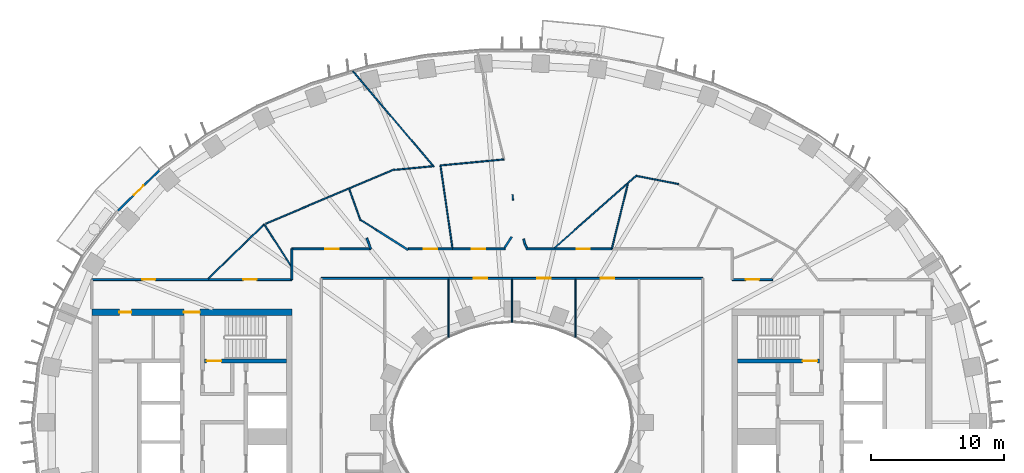
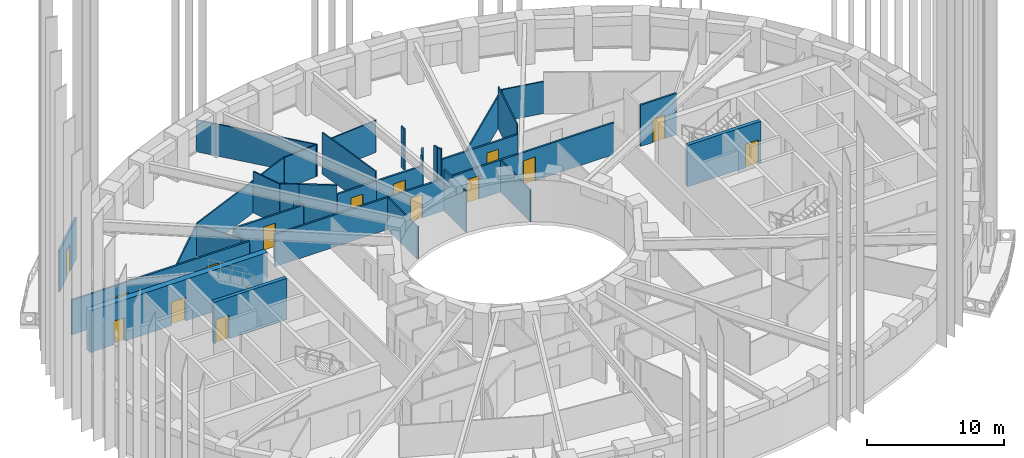
# One storey, part 6 of 20: 33 walls, 15 doors, 15 openings.
"""IFC4 building model written with IfcOpenShell, lengths in metres."""

from ifc_helpers import new_model, si_unit, direction, frame, frame_2d, origin, place, context, subcontext, project, spatial, rectangle, extrude, material, layer, layer_set, type_object, element, fill, save


model = new_model("IFC4")

# Units and contexts
model_context = context("Model", 3, precision=1e-05, world=origin(), true_north=direction((0.0, 1.0)))
body_context = subcontext(model_context, "Body", "Model", "MODEL_VIEW")
ifc_project = project(units=[si_unit("LENGTHUNIT", "METRE"), si_unit("AREAUNIT", "SQUARE_METRE"), si_unit("VOLUMEUNIT", "CUBIC_METRE"), si_unit("PLANEANGLEUNIT", "RADIAN"), si_unit("MASSUNIT", "GRAM", prefix="KILO")], contexts=[model_context])

# Site, building, storey
site_placement = place(None, origin())
site = spatial("IfcSite", under=ifc_project, at=site_placement, CompositionType="ELEMENT")
building_placement = place(site_placement, origin())
building = spatial("IfcBuilding", under=site, at=building_placement, Name="Noorbagh Ring Tower", CompositionType="ELEMENT")
storey_placement = place(building_placement, frame((0.0, 0.0, 88.0)))
storey = spatial("IfcBuildingStorey", under=building, at=storey_placement, Name="L19", CompositionType="ELEMENT", Elevation=88.0)

# Wall, opening, door
ifc_material_1 = material(Name="Concrete C70/85", Category="concrete")
ifc_layer_1 = layer(ifc_material_1, 0.300048828125)
ifc_layer_set_1 = layer_set([ifc_layer_1], Name="Concrete C70/85")
wall_type_1 = type_object("IfcWallType", Name="CORE-WALL-300-C70-85-EI240", PredefinedType="SHEAR", material=ifc_layer_set_1)
wall_1_placement = place(storey_placement, frame((-16.89990234375, 4.60009765625, 0.0), z_axis=(0.0, 0.0, 1.0), x_axis=(-1.0, 0.0, 0.0)))
wall_1 = element("IfcWall", 1, at=wall_1_placement, inside=storey, type_object=wall_type_1, Name="Core wall W", PredefinedType="SHEAR", context=body_context, shape_type="SweptSolid", body=[
    extrude(rectangle(XDim=6.18017578125, YDim=0.300048828125, at=frame_2d((3.090087890625, 0.0))), origin(), (0.0, 0.0, 1.0), 3.699951171875),
])
opening_1_placement = place(wall_1_placement, frame((4.89990234375, 0.0, 0.0)))
opening_1 = element("IfcOpeningElement", 2, at=opening_1_placement, cuts=wall_1, Name="Opening L19-CW05", PredefinedType="OPENING", context=body_context, shape_type="SweptSolid", body=[
    extrude(rectangle(XDim=1.10009765625, YDim=2.10009765625, at=frame_2d((0.550048828125, 1.050048828125))), frame((0.0, 0.16015625, 0.0), z_axis=(0.0, -1.0, 0.0), x_axis=(1.0, 0.0, 0.0)), (0.0, 0.0, 1.0), 0.320068359375),
])
ifc_material_2 = material(Name="Steel door leaf", Category="steel")
door_type_1 = type_object("IfcDoorType", Name="CORE-DOOR-DSTAIR", OperationType="SINGLE_SWING_LEFT", PredefinedType="DOOR", material=ifc_material_2)
door_1_placement = place(opening_1_placement, origin())
door_1 = element("IfcDoor", 3, at=door_1_placement, inside=storey, type_object=door_type_1, Name="Stair door ST1 L19-CW05", OperationType="SINGLE_SWING_RIGHT", OverallHeight=2.10009765625, OverallWidth=1.10009765625, PredefinedType="DOOR", context=body_context, shape_type="SweptSolid", body=[
    extrude(rectangle(XDim=1.10009765625, YDim=2.10009765625, at=frame_2d((0.550048828125, 1.050048828125))), frame((0.0, 0.02490234375, 0.0), z_axis=(0.0, -1.0, 0.0), x_axis=(1.0, 0.0, 0.0)), (0.0, 0.0, 1.0), 0.050048828125),
])
fill(opening_1, door_1)

wall_2_placement = place(storey_placement, frame((16.89990234375, 4.60009765625, 0.0), z_axis=(0.0, 0.0, 1.0), x_axis=(1.0, 0.0, 0.0)))
wall_2 = element("IfcWall", 4, at=wall_2_placement, inside=storey, type_object=wall_type_1, Name="Core wall E", PredefinedType="SHEAR", context=body_context, shape_type="SweptSolid", body=[
    extrude(rectangle(XDim=6.18017578125, YDim=0.300048828125, at=frame_2d((3.090087890625, 0.0))), origin(), (0.0, 0.0, 1.0), 3.699951171875),
])
opening_2_placement = place(wall_2_placement, frame((4.89990234375, 0.0, 0.0)))
opening_2 = element("IfcOpeningElement", 5, at=opening_2_placement, cuts=wall_2, Name="Opening L19-CE05", PredefinedType="OPENING", context=body_context, shape_type="SweptSolid", body=[
    extrude(rectangle(XDim=1.10009765625, YDim=2.10009765625, at=frame_2d((0.550048828125, 1.050048828125))), frame((0.0, 0.16015625, 0.0), z_axis=(0.0, -1.0, 0.0), x_axis=(1.0, 0.0, 0.0)), (0.0, 0.0, 1.0), 0.320068359375),
])
door_2_placement = place(opening_2_placement, origin())
door_2 = element("IfcDoor", 6, at=door_2_placement, inside=storey, type_object=door_type_1, Name="Stair door ST3 L19-CE05", OperationType="SINGLE_SWING_LEFT", OverallHeight=2.10009765625, OverallWidth=1.10009765625, PredefinedType="DOOR", context=body_context, shape_type="SweptSolid", body=[
    extrude(rectangle(XDim=1.10009765625, YDim=2.10009765625, at=frame_2d((0.550048828125, 1.050048828125))), frame((0.0, 0.02490234375, 0.0), z_axis=(0.0, -1.0, 0.0), x_axis=(1.0, 0.0, 0.0)), (0.0, 0.0, 1.0), 0.050048828125),
])
fill(opening_2, door_2)

# Wall, openings, doors
ifc_material_3 = material(Name="Concrete C70/85", Category="concrete")
ifc_layer_2 = layer(ifc_material_3, 0.5)
ifc_layer_set_2 = layer_set([ifc_layer_2], Name="Concrete C70/85")
wall_type_2 = type_object("IfcWallType", Name="CORE-WALL-500-C70-85-EI240", PredefinedType="SHEAR", material=ifc_layer_set_2)
wall_3_placement = place(storey_placement, frame((-16.5, 8.25, 0.0), z_axis=(0.0, 0.0, 1.0), x_axis=(-1.0, 0.0, 0.0)))
wall_3 = element("IfcWall", 7, at=wall_3_placement, inside=storey, type_object=wall_type_2, Name="Core wall W", PredefinedType="SHEAR", context=body_context, shape_type="SweptSolid", body=[
    extrude(rectangle(XDim=15.0, YDim=0.5, at=frame_2d((7.5, 0.0))), origin(), (0.0, 0.0, 1.0), 3.699951171875),
])
opening_3_placement = place(wall_3_placement, frame((6.89990234375, 0.0, 0.0)))
opening_3 = element("IfcOpeningElement", 8, at=opening_3_placement, cuts=wall_3, Name="Opening L19-CW09", PredefinedType="OPENING", context=body_context, shape_type="SweptSolid", body=[
    extrude(rectangle(XDim=1.199951171875, YDim=2.10009765625, at=frame_2d((0.60009765625, 1.050048828125))), frame((0.0, 0.260009765625, 0.0), z_axis=(0.0, -1.0, 0.0), x_axis=(1.0, 0.0, 0.0)), (0.0, 0.0, 1.0), 0.52001953125),
])
opening_4_placement = place(wall_3_placement, frame((12.050048828125, 0.0, 0.0)))
opening_4 = element("IfcOpeningElement", 9, at=opening_4_placement, cuts=wall_3, Name="Opening L19-CW13", PredefinedType="OPENING", context=body_context, shape_type="SweptSolid", body=[
    extrude(rectangle(XDim=0.89990234375, YDim=2.10009765625, at=frame_2d((0.449951171875, 1.050048828125))), frame((0.0, 0.260009765625, 0.0), z_axis=(0.0, -1.0, 0.0), x_axis=(1.0, 0.0, 0.0)), (0.0, 0.0, 1.0), 0.52001953125),
])
ifc_material_4 = material(Name="Steel door leaf", Category="steel")
door_type_2 = type_object("IfcDoorType", Name="CORE-DOOR-DROOM", OperationType="SINGLE_SWING_LEFT", PredefinedType="DOOR", material=ifc_material_4)
door_3_placement = place(opening_4_placement, origin())
door_3 = element("IfcDoor", 10, at=door_3_placement, inside=storey, type_object=door_type_2, Name="Core room door L19-CW13", OperationType="SINGLE_SWING_RIGHT", OverallHeight=2.10009765625, OverallWidth=0.89990234375, PredefinedType="DOOR", context=body_context, shape_type="SweptSolid", body=[
    extrude(rectangle(XDim=0.89990234375, YDim=2.10009765625, at=frame_2d((0.449951171875, 1.050048828125))), frame((0.0, 0.02490234375, 0.0), z_axis=(0.0, -1.0, 0.0), x_axis=(1.0, 0.0, 0.0)), (0.0, 0.0, 1.0), 0.050048828125),
])
fill(opening_4, door_3)
ifc_material_5 = material(Name="Steel door leaf", Category="steel")
door_type_3 = type_object("IfcDoorType", Name="CORE-DOOR-PORT", OperationType="DOUBLE_DOOR_DOUBLE_SWING", PredefinedType="DOOR", material=ifc_material_5)
door_4_placement = place(opening_3_placement, origin())
door_4 = element("IfcDoor", 11, at=door_4_placement, inside=storey, type_object=door_type_3, Name="Core entrance door L19-CW09", OperationType="DOUBLE_DOOR_DOUBLE_SWING", OverallHeight=2.10009765625, OverallWidth=1.199951171875, PredefinedType="DOOR", context=body_context, shape_type="SweptSolid", body=[
    extrude(rectangle(XDim=1.199951171875, YDim=2.10009765625, at=frame_2d((0.60009765625, 1.050048828125))), frame((0.0, 0.02490234375, 0.0), z_axis=(0.0, -1.0, 0.0), x_axis=(1.0, 0.0, 0.0)), (0.0, 0.0, 1.0), 0.050048828125),
])
fill(opening_3, door_4)

ifc_material_6 = material(Name="Gypsum board on steel studs", Category="steel")
ifc_layer_3 = layer(ifc_material_6, 0.14990234375)
ifc_layer_set_3 = layer_set([ifc_layer_3], Name="Gypsum board on steel studs")
wall_type_3 = type_object("IfcWallType", Name="CORRIDOR PARTITION 150 EI 30", PredefinedType="PARTITIONING", material=ifc_layer_set_3)
wall_4_placement = place(storey_placement, frame((-31.5, 10.699951171875, 0.0), z_axis=(0.0, 0.0, 1.0), x_axis=(1.0, 0.0, 0.0)))
wall_4 = element("IfcWall", 12, at=wall_4_placement, inside=storey, type_object=wall_type_3, Name="L19/wall/P05", PredefinedType="PARTITIONING", context=body_context, shape_type="SweptSolid", body=[
    extrude(rectangle(XDim=15.0, YDim=0.14990234375, at=frame_2d((7.5, 0.0))), origin(), (0.0, 0.0, 1.0), 3.10009765625),
])
opening_5_placement = place(wall_4_placement, frame((3.760986328125, 0.0, 0.0)))
opening_5 = element("IfcOpeningElement", 13, at=opening_5_placement, cuts=wall_4, Name="Opening D1", PredefinedType="OPENING", context=body_context, shape_type="SweptSolid", body=[
    extrude(rectangle(XDim=1.0, YDim=2.10009765625, at=frame_2d((0.5, 1.050048828125))), frame((0.0, 0.0849609375, 0.0), z_axis=(0.0, -1.0, 0.0), x_axis=(1.0, 0.0, 0.0)), (0.0, 0.0, 1.0), 0.169921875),
])
opening_6_placement = place(wall_4_placement, frame((11.35009765625, 0.0, 0.0)))
opening_6 = element("IfcOpeningElement", 14, at=opening_6_placement, cuts=wall_4, Name="Opening D1", PredefinedType="OPENING", context=body_context, shape_type="SweptSolid", body=[
    extrude(rectangle(XDim=1.0, YDim=2.10009765625, at=frame_2d((0.5, 1.050048828125))), frame((0.0, 0.0849609375, 0.0), z_axis=(0.0, -1.0, 0.0), x_axis=(1.0, 0.0, 0.0)), (0.0, 0.0, 1.0), 0.169921875),
])
ifc_material_7 = material(Name="Timber, painted", Category="wood")
door_type_4 = type_object("IfcDoorType", Name="DOOR 1000 X 2100 FD30", OperationType="SINGLE_SWING_LEFT", PredefinedType="DOOR", material=ifc_material_7)
door_5_placement = place(opening_5_placement, origin())
door_5 = element("IfcDoor", 15, at=door_5_placement, inside=storey, type_object=door_type_4, Name="L19-D07", OperationType="SINGLE_SWING_LEFT", OverallHeight=2.10009765625, OverallWidth=1.0, PredefinedType="DOOR", context=body_context, shape_type="SweptSolid", body=[
    extrude(rectangle(XDim=1.0, YDim=2.10009765625, at=frame_2d((0.5, 1.050048828125))), frame((0.0, 0.02490234375, 0.0), z_axis=(0.0, -1.0, 0.0), x_axis=(1.0, 0.0, 0.0)), (0.0, 0.0, 1.0), 0.050048828125),
])
fill(opening_5, door_5)
door_6_placement = place(opening_6_placement, origin())
door_6 = element("IfcDoor", 16, at=door_6_placement, inside=storey, type_object=door_type_4, Name="L19-D09", OperationType="SINGLE_SWING_LEFT", OverallHeight=2.10009765625, OverallWidth=1.0, PredefinedType="DOOR", context=body_context, shape_type="SweptSolid", body=[
    extrude(rectangle(XDim=1.0, YDim=2.10009765625, at=frame_2d((0.5, 1.050048828125))), frame((0.0, 0.02490234375, 0.0), z_axis=(0.0, -1.0, 0.0), x_axis=(1.0, 0.0, 0.0)), (0.0, 0.0, 1.0), 0.050048828125),
])
fill(opening_6, door_6)

# Wall
wall_5_placement = place(storey_placement, frame((-16.5, 10.699951171875, 0.0), z_axis=(0.0, 0.0, 1.0), x_axis=(0.0, 1.0, 0.0)))
element("IfcWall", 17, at=wall_5_placement, inside=storey, type_object=wall_type_3, Name="L19/wall/P14", PredefinedType="PARTITIONING", context=body_context, shape_type="SweptSolid", body=[
    extrude(rectangle(XDim=2.300048828125, YDim=0.14990234375, at=frame_2d((1.14990234375, 0.0))), origin(), (0.0, 0.0, 1.0), 2.75),
])

# Wall, opening, door
wall_6_placement = place(storey_placement, frame((-16.5, 13.0, 0.0), z_axis=(0.0, 0.0, 1.0), x_axis=(1.0, 0.0, 0.0)))
wall_6 = element("IfcWall", 18, at=wall_6_placement, inside=storey, type_object=wall_type_3, Name="L19/wall/P15", PredefinedType="PARTITIONING", context=body_context, shape_type="SweptSolid", body=[
    extrude(rectangle(XDim=5.89306640625, YDim=0.14990234375, at=frame_2d((2.946533203125, 0.0))), origin(), (0.0, 0.0, 1.0), 2.85009765625),
])
opening_7_placement = place(wall_6_placement, frame((2.492919921875, 0.0, 0.0)))
opening_7 = element("IfcOpeningElement", 19, at=opening_7_placement, cuts=wall_6, Name="Opening D1", PredefinedType="OPENING", context=body_context, shape_type="SweptSolid", body=[
    extrude(rectangle(XDim=1.0, YDim=2.10009765625, at=frame_2d((0.5, 1.050048828125))), frame((0.0, 0.0849609375, 0.0), z_axis=(0.0, -1.0, 0.0), x_axis=(1.0, 0.0, 0.0)), (0.0, 0.0, 1.0), 0.169921875),
])
door_7_placement = place(opening_7_placement, origin())
door_7 = element("IfcDoor", 20, at=door_7_placement, inside=storey, type_object=door_type_4, Name="L19-D11", OperationType="SINGLE_SWING_LEFT", OverallHeight=2.10009765625, OverallWidth=1.0, PredefinedType="DOOR", context=body_context, shape_type="SweptSolid", body=[
    extrude(rectangle(XDim=1.0, YDim=2.10009765625, at=frame_2d((0.5, 1.050048828125))), frame((0.0, 0.02490234375, 0.0), z_axis=(0.0, -1.0, 0.0), x_axis=(1.0, 0.0, 0.0)), (0.0, 0.0, 1.0), 0.050048828125),
])
fill(opening_7, door_7)

# Wall, openings, doors
wall_7_placement = place(storey_placement, frame((-14.300048828125, 10.800048828125, 0.0), z_axis=(0.0, 0.0, 1.0), x_axis=(1.0, 0.0, 0.0)))
wall_7 = element("IfcWall", 21, at=wall_7_placement, inside=storey, type_object=wall_type_3, Name="L19/wall/P18", PredefinedType="PARTITIONING", context=body_context, shape_type="SweptSolid", body=[
    extrude(rectangle(XDim=28.60009765625, YDim=0.14990234375, at=frame_2d((14.300048828125, 0.0))), origin(), (0.0, 0.0, 1.0), 2.85009765625),
])
opening_8_placement = place(wall_7_placement, frame((11.43310546875, 0.0, 0.0)))
opening_8 = element("IfcOpeningElement", 22, at=opening_8_placement, cuts=wall_7, Name="Opening D1", PredefinedType="OPENING", context=body_context, shape_type="SweptSolid", body=[
    extrude(rectangle(XDim=1.0, YDim=2.10009765625, at=frame_2d((0.5, 1.050048828125))), frame((0.0, 0.0849609375, 0.0), z_axis=(0.0, -1.0, 0.0), x_axis=(1.0, 0.0, 0.0)), (0.0, 0.0, 1.0), 0.169921875),
])
opening_9_placement = place(wall_7_placement, frame((16.199951171875, 0.0, 0.0)))
opening_9 = element("IfcOpeningElement", 23, at=opening_9_placement, cuts=wall_7, Name="Opening D1", PredefinedType="OPENING", context=body_context, shape_type="SweptSolid", body=[
    extrude(rectangle(XDim=1.0, YDim=2.10009765625, at=frame_2d((0.5, 1.050048828125))), frame((0.0, 0.0849609375, 0.0), z_axis=(0.0, -1.0, 0.0), x_axis=(1.0, 0.0, 0.0)), (0.0, 0.0, 1.0), 0.169921875),
])
opening_10_placement = place(wall_7_placement, frame((20.967041015625, 0.0, 0.0)))
opening_10 = element("IfcOpeningElement", 24, at=opening_10_placement, cuts=wall_7, Name="Opening D1", PredefinedType="OPENING", context=body_context, shape_type="SweptSolid", body=[
    extrude(rectangle(XDim=1.0, YDim=2.10009765625, at=frame_2d((0.5, 1.050048828125))), frame((0.0, 0.0849609375, 0.0), z_axis=(0.0, -1.0, 0.0), x_axis=(1.0, 0.0, 0.0)), (0.0, 0.0, 1.0), 0.169921875),
])
door_8_placement = place(opening_8_placement, origin())
door_8 = element("IfcDoor", 25, at=door_8_placement, inside=storey, type_object=door_type_4, Name="L19-D29", OperationType="SINGLE_SWING_LEFT", OverallHeight=2.10009765625, OverallWidth=1.0, PredefinedType="DOOR", context=body_context, shape_type="SweptSolid", body=[
    extrude(rectangle(XDim=1.0, YDim=2.10009765625, at=frame_2d((0.5, 1.050048828125))), frame((0.0, 0.02490234375, 0.0), z_axis=(0.0, -1.0, 0.0), x_axis=(1.0, 0.0, 0.0)), (0.0, 0.0, 1.0), 0.050048828125),
])
fill(opening_8, door_8)
door_9_placement = place(opening_9_placement, origin())
door_9 = element("IfcDoor", 26, at=door_9_placement, inside=storey, type_object=door_type_4, Name="L19-D31", OperationType="SINGLE_SWING_LEFT", OverallHeight=2.10009765625, OverallWidth=1.0, PredefinedType="DOOR", context=body_context, shape_type="SweptSolid", body=[
    extrude(rectangle(XDim=1.0, YDim=2.10009765625, at=frame_2d((0.5, 1.050048828125))), frame((0.0, 0.02490234375, 0.0), z_axis=(0.0, -1.0, 0.0), x_axis=(1.0, 0.0, 0.0)), (0.0, 0.0, 1.0), 0.050048828125),
])
fill(opening_9, door_9)
door_10_placement = place(opening_10_placement, origin())
door_10 = element("IfcDoor", 27, at=door_10_placement, inside=storey, type_object=door_type_4, Name="L19-D32", OperationType="SINGLE_SWING_RIGHT", OverallHeight=2.10009765625, OverallWidth=1.0, PredefinedType="DOOR", context=body_context, shape_type="SweptSolid", body=[
    extrude(rectangle(XDim=1.0, YDim=2.10009765625, at=frame_2d((0.5, 1.050048828125))), frame((0.0, 0.02490234375, 0.0), z_axis=(0.0, -1.0, 0.0), x_axis=(1.0, 0.0, 0.0)), (0.0, 0.0, 1.0), 0.050048828125),
])
fill(opening_10, door_10)

# Walls
wall_8_placement = place(storey_placement, frame((-10.886962890625, 13.81201171875, 0.0), z_axis=(0.0, 0.0, 1.0), x_axis=(0.338378813476, -0.941009977944, 0.0)))
element("IfcWall", 28, at=wall_8_placement, inside=storey, type_object=wall_type_3, Name="L19/wall/P31", PredefinedType="PARTITIONING", context=body_context, shape_type="SweptSolid", body=[
    extrude(rectangle(XDim=0.863037109375, YDim=0.14990234375, at=frame_2d((0.431640625, 0.0))), origin(), (0.0, 0.0, 1.0), 2.85009765625),
])
wall_9_placement = place(storey_placement, frame((-10.136962890625, 14.4130859375, 0.0), z_axis=(0.0, 0.0, 1.0), x_axis=(0.844666662568, -0.535292657475, 0.0)))
element("IfcWall", 29, at=wall_9_placement, inside=storey, type_object=wall_type_3, Name="L19/wall/P33", PredefinedType="PARTITIONING", context=body_context, shape_type="SweptSolid", body=[
    extrude(rectangle(XDim=2.776123046875, YDim=0.14990234375, at=frame_2d((1.38818359375, 0.0))), origin(), (0.0, 0.0, 1.0), 3.699951171875),
])

# Wall, opening, door
wall_10_placement = place(storey_placement, frame((-7.76708984375, 13.0, 0.0), z_axis=(0.0, 0.0, 1.0), x_axis=(1.0, 0.0, 0.0)))
wall_10 = element("IfcWall", 30, at=wall_10_placement, inside=storey, type_object=wall_type_3, Name="L19/wall/P40", PredefinedType="PARTITIONING", context=body_context, shape_type="SweptSolid", body=[
    extrude(rectangle(XDim=3.2880859375, YDim=0.14990234375, at=frame_2d((1.64404296875, 0.0))), origin(), (0.0, 0.0, 1.0), 2.85009765625),
])
opening_11_placement = place(wall_10_placement, frame((1.157958984375, 0.0, 0.0)))
opening_11 = element("IfcOpeningElement", 31, at=opening_11_placement, cuts=wall_10, Name="Opening D1", PredefinedType="OPENING", context=body_context, shape_type="SweptSolid", body=[
    extrude(rectangle(XDim=1.0, YDim=2.10009765625, at=frame_2d((0.5, 1.050048828125))), frame((0.0, 0.0849609375, 0.0), z_axis=(0.0, -1.0, 0.0), x_axis=(1.0, 0.0, 0.0)), (0.0, 0.0, 1.0), 0.169921875),
])
door_11_placement = place(opening_11_placement, origin())
door_11 = element("IfcDoor", 32, at=door_11_placement, inside=storey, type_object=door_type_4, Name="L19-D13", OperationType="SINGLE_SWING_LEFT", OverallHeight=2.10009765625, OverallWidth=1.0, PredefinedType="DOOR", context=body_context, shape_type="SweptSolid", body=[
    extrude(rectangle(XDim=1.0, YDim=2.10009765625, at=frame_2d((0.5, 1.050048828125))), frame((0.0, 0.02490234375, 0.0), z_axis=(0.0, -1.0, 0.0), x_axis=(1.0, 0.0, 0.0)), (0.0, 0.0, 1.0), 0.050048828125),
])
fill(opening_11, door_11)

wall_11_placement = place(storey_placement, frame((-4.458984375, 13.0, 0.0), z_axis=(0.0, 0.0, 1.0), x_axis=(1.0, 0.0, 0.0)))
wall_11 = element("IfcWall", 33, at=wall_11_placement, inside=storey, type_object=wall_type_3, Name="L19/wall/P45", PredefinedType="PARTITIONING", context=body_context, shape_type="SweptSolid", body=[
    extrude(rectangle(XDim=3.93603515625, YDim=0.14990234375, at=frame_2d((1.968017578125, 0.0))), origin(), (0.0, 0.0, 1.0), 2.85009765625),
])
opening_12_placement = place(wall_11_placement, frame((1.447021484375, 0.0, 0.0)))
opening_12 = element("IfcOpeningElement", 34, at=opening_12_placement, cuts=wall_11, Name="Opening D1", PredefinedType="OPENING", context=body_context, shape_type="SweptSolid", body=[
    extrude(rectangle(XDim=1.0, YDim=2.10009765625, at=frame_2d((0.5, 1.050048828125))), frame((0.0, 0.0849609375, 0.0), z_axis=(0.0, -1.0, 0.0), x_axis=(1.0, 0.0, 0.0)), (0.0, 0.0, 1.0), 0.169921875),
])
door_12_placement = place(opening_12_placement, origin())
door_12 = element("IfcDoor", 35, at=door_12_placement, inside=storey, type_object=door_type_4, Name="L19-D14", OperationType="SINGLE_SWING_RIGHT", OverallHeight=2.10009765625, OverallWidth=1.0, PredefinedType="DOOR", context=body_context, shape_type="SweptSolid", body=[
    extrude(rectangle(XDim=1.0, YDim=2.10009765625, at=frame_2d((0.5, 1.050048828125))), frame((0.0, 0.02490234375, 0.0), z_axis=(0.0, -1.0, 0.0), x_axis=(1.0, 0.0, 0.0)), (0.0, 0.0, 1.0), 0.050048828125),
])
fill(opening_12, door_12)

# Walls
wall_12_placement = place(storey_placement, frame((-0.56396484375, 13.074951171875, 0.0), z_axis=(0.0, 0.0, 1.0), x_axis=(0.542773867651, 0.839878877336, 0.0)))
element("IfcWall", 36, at=wall_12_placement, inside=storey, type_object=wall_type_3, Name="L19/wall/P49", PredefinedType="PARTITIONING", context=body_context, shape_type="SweptSolid", body=[
    extrude(rectangle(XDim=0.996826171875, YDim=0.14990234375, at=frame_2d((0.49853515625, 0.0))), origin(), (0.0, 0.0, 1.0), 3.699951171875),
])
wall_13_placement = place(storey_placement, frame((0.8740234375, 13.7529296875, 0.0), z_axis=(0.0, 0.0, 1.0), x_axis=(0.240863917947, -0.97055889725, 0.0)))
element("IfcWall", 37, at=wall_13_placement, inside=storey, type_object=wall_type_3, Name="L19/wall/P58", PredefinedType="PARTITIONING", context=body_context, shape_type="SweptSolid", body=[
    extrude(rectangle(XDim=0.378173828125, YDim=0.14990234375, at=frame_2d((0.18896484375, 0.0))), origin(), (0.0, 0.0, 1.0), 3.699951171875),
])
wall_14_placement = place(storey_placement, frame((0.968994140625, 13.368896484375, 0.0), z_axis=(0.0, 0.0, 1.0), x_axis=(0.440240923942, -0.897879685084, 0.0)))
element("IfcWall", 38, at=wall_14_placement, inside=storey, type_object=wall_type_3, Name="L19/wall/P60", PredefinedType="PARTITIONING", context=body_context, shape_type="SweptSolid", body=[
    extrude(rectangle(XDim=0.32275390625, YDim=0.14990234375, at=frame_2d((0.161376953125, 0.0))), origin(), (0.0, 0.0, 1.0), 3.699951171875),
])

# Wall, opening, door
wall_15_placement = place(storey_placement, frame((1.06103515625, 13.0, 0.0), z_axis=(0.0, 0.0, 1.0), x_axis=(1.0, 0.0, 0.0)))
wall_15 = element("IfcWall", 39, at=wall_15_placement, inside=storey, type_object=wall_type_3, Name="L19/wall/P62", PredefinedType="PARTITIONING", context=body_context, shape_type="SweptSolid", body=[
    extrude(rectangle(XDim=6.421875, YDim=0.14990234375, at=frame_2d((3.2109375, 0.0))), origin(), (0.0, 0.0, 1.0), 2.85009765625),
])
opening_13_placement = place(wall_15_placement, frame((3.7880859375, 0.0, 0.0)))
opening_13 = element("IfcOpeningElement", 40, at=opening_13_placement, cuts=wall_15, Name="Opening D1", PredefinedType="OPENING", context=body_context, shape_type="SweptSolid", body=[
    extrude(rectangle(XDim=1.0, YDim=2.10009765625, at=frame_2d((0.5, 1.050048828125))), frame((0.0, 0.0849609375, 0.0), z_axis=(0.0, -1.0, 0.0), x_axis=(1.0, 0.0, 0.0)), (0.0, 0.0, 1.0), 0.169921875),
])
door_13_placement = place(opening_13_placement, origin())
door_13 = element("IfcDoor", 41, at=door_13_placement, inside=storey, type_object=door_type_4, Name="L19-D16", OperationType="SINGLE_SWING_RIGHT", OverallHeight=2.10009765625, OverallWidth=1.0, PredefinedType="DOOR", context=body_context, shape_type="SweptSolid", body=[
    extrude(rectangle(XDim=1.0, YDim=2.10009765625, at=frame_2d((0.5, 1.050048828125))), frame((0.0, 0.02490234375, 0.0), z_axis=(0.0, -1.0, 0.0), x_axis=(1.0, 0.0, 0.0)), (0.0, 0.0, 1.0), 0.050048828125),
])
fill(opening_13, door_13)

wall_16_placement = place(storey_placement, frame((16.5, 10.699951171875, 0.0), z_axis=(0.0, 0.0, 1.0), x_axis=(1.0, 0.0, 0.0)))
wall_16 = element("IfcWall", 42, at=wall_16_placement, inside=storey, type_object=wall_type_3, Name="L19/wall/P82", PredefinedType="PARTITIONING", context=body_context, shape_type="SweptSolid", body=[
    extrude(rectangle(XDim=3.04296875, YDim=0.14990234375, at=frame_2d((1.521484375, 0.0))), origin(), (0.0, 0.0, 1.0), 3.699951171875),
])
opening_14_placement = place(wall_16_placement, frame((1.044921875, 0.0, 0.0)))
opening_14 = element("IfcOpeningElement", 43, at=opening_14_placement, cuts=wall_16, Name="Opening D1", PredefinedType="OPENING", context=body_context, shape_type="SweptSolid", body=[
    extrude(rectangle(XDim=1.0, YDim=2.10009765625, at=frame_2d((0.5, 1.050048828125))), frame((0.0, 0.0849609375, 0.0), z_axis=(0.0, -1.0, 0.0), x_axis=(1.0, 0.0, 0.0)), (0.0, 0.0, 1.0), 0.169921875),
])
door_14_placement = place(opening_14_placement, origin())
door_14 = element("IfcDoor", 44, at=door_14_placement, inside=storey, type_object=door_type_4, Name="L19-D22", OperationType="SINGLE_SWING_RIGHT", OverallHeight=2.10009765625, OverallWidth=1.0, PredefinedType="DOOR", context=body_context, shape_type="SweptSolid", body=[
    extrude(rectangle(XDim=1.0, YDim=2.10009765625, at=frame_2d((0.5, 1.050048828125))), frame((0.0, 0.02490234375, 0.0), z_axis=(0.0, -1.0, 0.0), x_axis=(1.0, 0.0, 0.0)), (0.0, 0.0, 1.0), 0.050048828125),
])
fill(opening_14, door_14)

ifc_material_8 = material(Name="Insulated aluminium clad panel", Category="aluminium")
ifc_layer_4 = layer(ifc_material_8, 0.14990234375)
ifc_layer_set_4 = layer_set([ifc_layer_4], Name="Insulated aluminium clad panel")
wall_type_4 = type_object("IfcWallType", Name="ENV-WALL-DOOR", PredefinedType="STANDARD", material=ifc_layer_set_4)
wall_17_placement = place(storey_placement, frame((-26.396484375, 18.943359375, 0.0), z_axis=(0.0, 0.0, 1.0), x_axis=(-0.717214761864, -0.696852197647, 0.0)))
wall_17 = element("IfcWall", 45, at=wall_17_placement, inside=storey, type_object=wall_type_4, Name="Balcony door wall chord 19", PredefinedType="STANDARD", context=body_context, shape_type="SweptSolid", body=[
    extrude(rectangle(XDim=4.424072265625, YDim=0.14990234375, at=frame_2d((2.2119140625, 0.0))), origin(), (0.0, 0.0, 1.0), 3.699951171875),
])
opening_15_placement = place(wall_17_placement, frame((1.712158203125, 0.0, 0.0)))
opening_15 = element("IfcOpeningElement", 46, at=opening_15_placement, cuts=wall_17, Name="Opening D-BL", PredefinedType="OPENING", context=body_context, shape_type="SweptSolid", body=[
    extrude(rectangle(XDim=1.0, YDim=2.39990234375, at=frame_2d((0.5, 1.199951171875))), frame((0.0, 0.0849609375, 0.0), z_axis=(0.0, -1.0, 0.0), x_axis=(1.0, 0.0, 0.0)), (0.0, 0.0, 1.0), 0.169921875),
])
ifc_material_9 = material(Name="Aluminium and glass", Category="aluminium")
door_type_5 = type_object("IfcDoorType", Name="ENV-DOOR-BALCONY", OperationType="SINGLE_SWING_LEFT", PredefinedType="DOOR", material=ifc_material_9)
door_15_placement = place(opening_15_placement, origin())
door_15 = element("IfcDoor", 47, at=door_15_placement, inside=storey, type_object=door_type_5, Name="Balcony door chord 19", OperationType="SINGLE_SWING_RIGHT", OverallHeight=2.39990234375, OverallWidth=1.0, PredefinedType="DOOR", context=body_context, shape_type="SweptSolid", body=[
    extrude(rectangle(XDim=1.0, YDim=2.39990234375, at=frame_2d((0.5, 1.199951171875))), frame((0.0, 0.02490234375, 0.0), z_axis=(0.0, -1.0, 0.0), x_axis=(1.0, 0.0, 0.0)), (0.0, 0.0, 1.0), 0.050048828125),
])
fill(opening_15, door_15)

# Walls
ifc_material_10 = material(Name="Gypsum board on steel studs", Category="steel")
ifc_layer_5 = layer(ifc_material_10, 0.10009765625)
ifc_layer_set_5 = layer_set([ifc_layer_5], Name="Gypsum board on steel studs")
wall_type_5 = type_object("IfcWallType", Name="PARTITION 100 GYPSUM", PredefinedType="PARTITIONING", material=ifc_layer_set_5)
wall_18_placement = place(storey_placement, frame((-22.764892578125, 10.778076171875, 0.0), z_axis=(0.0, 0.0, 1.0), x_axis=(0.716294479598, 0.697798121592, 0.0)))
element("IfcWall", 48, at=wall_18_placement, inside=storey, type_object=wall_type_5, Name="L19/wall/P07", PredefinedType="PARTITIONING", context=body_context, shape_type="SweptSolid", body=[
    extrude(rectangle(XDim=5.834228515625, YDim=0.10009765625, at=frame_2d((2.9169921875, 0.0))), origin(), (0.0, 0.0, 1.0), 2.75),
])
wall_19_placement = place(storey_placement, frame((-18.5859375, 14.84912109375, 0.0), z_axis=(0.0, 0.0, 1.0), x_axis=(0.542227325377, -0.840231829684, 0.0)))
element("IfcWall", 49, at=wall_19_placement, inside=storey, type_object=wall_type_5, Name="L19/wall/P10", PredefinedType="PARTITIONING", context=body_context, shape_type="SweptSolid", body=[
    extrude(rectangle(XDim=3.708740234375, YDim=0.10009765625, at=frame_2d((1.8544921875, 0.0))), origin(), (0.0, 0.0, 1.0), 2.75),
])
wall_20_placement = place(storey_placement, frame((-18.4599609375, 14.902099609375, 0.0), z_axis=(0.0, 0.0, 1.0), x_axis=(0.921302833786, 0.388845841508, 0.0)))
element("IfcWall", 50, at=wall_20_placement, inside=storey, type_object=wall_type_5, Name="L19/wall/P11", PredefinedType="PARTITIONING", context=body_context, shape_type="SweptSolid", body=[
    extrude(rectangle(XDim=10.47216796875, YDim=0.10009765625, at=frame_2d((5.236083984375, 0.0))), origin(), (0.0, 0.0, 1.0), 2.85009765625),
])
wall_21_placement = place(storey_placement, frame((-12.208984375, 17.486083984375, 0.0), z_axis=(0.0, 0.0, 1.0), x_axis=(0.338698771758, -0.940894862357, 0.0)))
element("IfcWall", 51, at=wall_21_placement, inside=storey, type_object=wall_type_5, Name="L19/wall/P26", PredefinedType="PARTITIONING", context=body_context, shape_type="SweptSolid", body=[
    extrude(rectangle(XDim=2.50634765625, YDim=0.10009765625, at=frame_2d((1.253173828125, 0.0))), origin(), (0.0, 0.0, 1.0), 3.699951171875),
])
wall_22_placement = place(storey_placement, frame((-11.925048828125, 26.322998046875, 0.0), z_axis=(0.0, 0.0, 1.0), x_axis=(0.646476265577, -0.762934098101, 0.0)))
element("IfcWall", 52, at=wall_22_placement, inside=storey, type_object=wall_type_5, Name="L19/wall/P27", PredefinedType="PARTITIONING", context=body_context, shape_type="SweptSolid", body=[
    extrude(rectangle(XDim=9.383544921875, YDim=0.10009765625, at=frame_2d((4.69189453125, 0.0))), origin(), (0.0, 0.0, 1.0), 2.85009765625),
])
wall_23_placement = place(storey_placement, frame((-11.319091796875, 15.160888671875, 0.0), z_axis=(0.0, 0.0, 1.0), x_axis=(0.845102975348, -0.534603555037, 0.0)))
element("IfcWall", 53, at=wall_23_placement, inside=storey, type_object=wall_type_5, Name="L19/wall/P29", PredefinedType="PARTITIONING", context=body_context, shape_type="SweptSolid", body=[
    extrude(rectangle(XDim=1.398681640625, YDim=0.10009765625, at=frame_2d((0.69921875, 0.0))), origin(), (0.0, 0.0, 1.0), 3.699951171875),
])
wall_24_placement = place(storey_placement, frame((-8.802001953125, 18.931884765625, 0.0), z_axis=(0.0, 0.0, 1.0), x_axis=(0.995447320833, 0.095313332995, 0.0)))
element("IfcWall", 54, at=wall_24_placement, inside=storey, type_object=wall_type_5, Name="L19/wall/P38", PredefinedType="PARTITIONING", context=body_context, shape_type="SweptSolid", body=[
    extrude(rectangle(XDim=2.85595703125, YDim=0.10009765625, at=frame_2d((1.427978515625, 0.0))), origin(), (0.0, 0.0, 1.0), 2.85009765625),
])
wall_25_placement = place(storey_placement, frame((-5.364013671875, 19.260986328125, 0.0), z_axis=(0.0, 0.0, 1.0), x_axis=(0.143605013025, -0.989635084379, 0.0)))
element("IfcWall", 55, at=wall_25_placement, inside=storey, type_object=wall_type_5, Name="L19/wall/P41", PredefinedType="PARTITIONING", context=body_context, shape_type="SweptSolid", body=[
    extrude(rectangle(XDim=6.322509765625, YDim=0.10009765625, at=frame_2d((3.1611328125, 0.0))), origin(), (0.0, 0.0, 1.0), 3.699951171875),
])
wall_26_placement = place(storey_placement, frame((-5.364013671875, 19.261962890625, 0.0), z_axis=(0.0, 0.0, 1.0), x_axis=(0.995470221286, 0.095073858302, 0.0)))
element("IfcWall", 56, at=wall_26_placement, inside=storey, type_object=wall_type_5, Name="L19/wall/P42", PredefinedType="PARTITIONING", context=body_context, shape_type="SweptSolid", body=[
    extrude(rectangle(XDim=4.78662109375, YDim=0.10009765625, at=frame_2d((2.393310546875, 0.0))), origin(), (0.0, 0.0, 1.0), 2.85009765625),
])
wall_27_placement = place(storey_placement, frame((-4.76708984375, 6.363037109375, 0.0), z_axis=(0.0, 0.0, 1.0), x_axis=(0.0, 1.0, 0.0)))
element("IfcWall", 57, at=wall_27_placement, inside=storey, type_object=wall_type_5, Name="L19/wall/P44", PredefinedType="PARTITIONING", context=body_context, shape_type="SweptSolid", body=[
    extrude(rectangle(XDim=4.362060546875, YDim=0.10009765625, at=frame_2d((2.18115234375, 0.0))), origin(), (0.0, 0.0, 1.0), 2.89990234375),
])
wall_28_placement = place(storey_placement, frame((0.0, 7.50390625, 0.0), z_axis=(0.0, 0.0, 1.0), x_axis=(0.0, 1.0, 0.0)))
element("IfcWall", 58, at=wall_28_placement, inside=storey, type_object=wall_type_5, Name="L19/wall/P52", PredefinedType="PARTITIONING", context=body_context, shape_type="SweptSolid", body=[
    extrude(rectangle(XDim=3.22119140625, YDim=0.10009765625, at=frame_2d((1.610595703125, 0.0))), origin(), (0.0, 0.0, 1.0), 3.699951171875),
])
wall_29_placement = place(storey_placement, frame((0.049072265625, 17.0810546875, 0.0), z_axis=(0.0, 0.0, 1.0), x_axis=(0.047263912187, -0.998882436829, 0.0)))
element("IfcWall", 59, at=wall_29_placement, inside=storey, type_object=wall_type_5, Name="L19/wall/P55", PredefinedType="PARTITIONING", context=body_context, shape_type="SweptSolid", body=[
    extrude(rectangle(XDim=0.423583984375, YDim=0.10009765625, at=frame_2d((0.2119140625, 0.0))), origin(), (0.0, 0.0, 1.0), 3.699951171875),
])
wall_30_placement = place(storey_placement, frame((3.18994140625, 13.073974609375, 0.0), z_axis=(0.0, 0.0, 1.0), x_axis=(0.74859996253, 0.663021942397, 0.0)))
element("IfcWall", 60, at=wall_30_placement, inside=storey, type_object=wall_type_5, Name="L19/wall/P64", PredefinedType="PARTITIONING", context=body_context, shape_type="SweptSolid", body=[
    extrude(rectangle(XDim=8.2275390625, YDim=0.10009765625, at=frame_2d((4.11376953125, 0.0))), origin(), (0.0, 0.0, 1.0), 2.85009765625),
])
wall_31_placement = place(storey_placement, frame((4.76708984375, 6.363037109375, 0.0), z_axis=(0.0, 0.0, 1.0), x_axis=(0.0, 1.0, 0.0)))
element("IfcWall", 61, at=wall_31_placement, inside=storey, type_object=wall_type_5, Name="L19/wall/P66", PredefinedType="PARTITIONING", context=body_context, shape_type="SweptSolid", body=[
    extrude(rectangle(XDim=4.362060546875, YDim=0.10009765625, at=frame_2d((2.18115234375, 0.0))), origin(), (0.0, 0.0, 1.0), 2.85009765625),
])
wall_32_placement = place(storey_placement, frame((7.48291015625, 13.0, 0.0), z_axis=(0.0, 0.0, 1.0), x_axis=(0.239743843509, 0.970836180568, 0.0)))
element("IfcWall", 62, at=wall_32_placement, inside=storey, type_object=wall_type_5, Name="L19/wall/P68", PredefinedType="PARTITIONING", context=body_context, shape_type="SweptSolid", body=[
    extrude(rectangle(XDim=5.0224609375, YDim=0.10009765625, at=frame_2d((2.51123046875, 0.0))), origin(), (0.0, 0.0, 1.0), 3.699951171875),
])
wall_33_placement = place(storey_placement, frame((9.364013671875, 18.47509765625, 0.0), z_axis=(0.0, 0.0, 1.0), x_axis=(0.98152602631, -0.191328669247, 0.0)))
element("IfcWall", 63, at=wall_33_placement, inside=storey, type_object=wall_type_5, Name="L19/wall/P72", PredefinedType="PARTITIONING", context=body_context, shape_type="SweptSolid", body=[
    extrude(rectangle(XDim=3.188720703125, YDim=0.10009765625, at=frame_2d((1.59423828125, 0.0))), origin(), (0.0, 0.0, 1.0), 2.85009765625),
])

save(model, "model.ifc")
